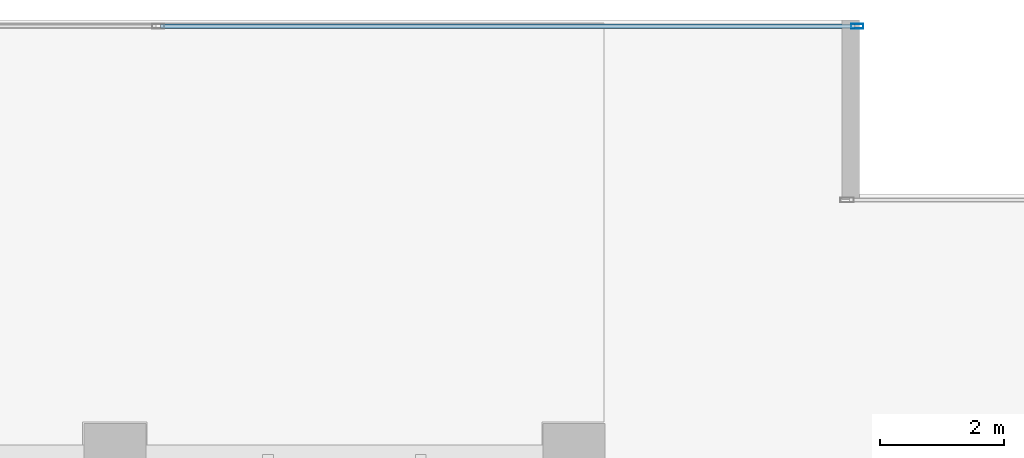
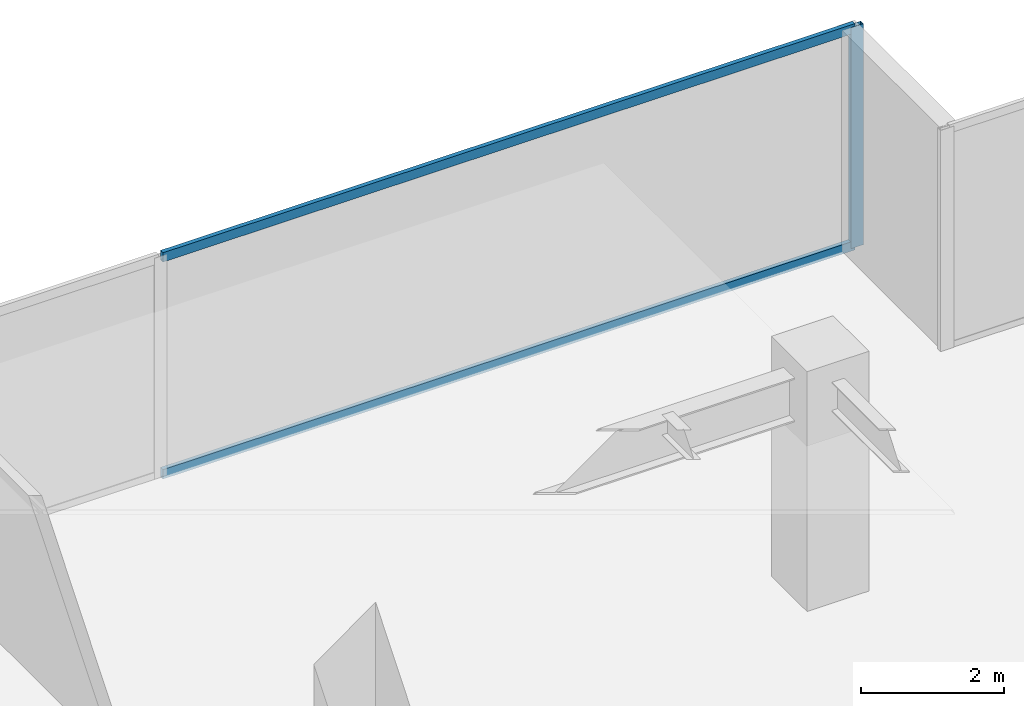
# One storey, part 27 of 36: 3 members, 1 element without a shape of its own.
"""IFC4 building model written with IfcOpenShell, lengths in metres."""

import ifcopenshell
import ifcopenshell.guid

model = None  # the IFC model being written
_history = None  # IfcOwnerHistory: only IFC2X3 demands one
_inside = {}  # id of a spatial element -> (the spatial element, [elements in it])
_under = {}  # id of a project, library or spatial element -> (it, [spatial elements below it])
_declared = {}  # id of a project -> (the project, [libraries it declares])
_typed = {}  # id of a type object -> (the type object, [elements of that type])
_made_of = {}  # id of a material, layer set ... -> (it, [elements and type objects made of it])


def new_model(schema):
    """Start an empty IFC model of exactly this schema.

    Asked for "IFC4X3", IfcOpenShell would pick the latest addendum, in which some entities
    have other attributes; the version numbers below select the first issue.
    IFC2X3 requires an IfcOwnerHistory on every rooted entity: one is made here for all.
    """
    global model, _history
    if schema == "IFC4X3":
        model = ifcopenshell.file(schema_version=(4, 3, 0, 0))
    else:
        model = ifcopenshell.file(schema=schema)
    _inside.clear()
    _under.clear()
    _declared.clear()
    _typed.clear()
    _made_of.clear()
    _history = None
    if model.schema == "IFC2X3":
        org = make("IfcOrganization", Name="unknown")
        user = make(
            "IfcPersonAndOrganization",
            ThePerson=make("IfcPerson", FamilyName="unknown"),
            TheOrganization=org,
        )
        app = make(
            "IfcApplication",
            ApplicationDeveloper=org,
            Version="unknown",
            ApplicationFullName="unknown",
            ApplicationIdentifier="unknown",
        )
        _history = make(
            "IfcOwnerHistory",
            OwningUser=user,
            OwningApplication=app,
            ChangeAction="ADDED",
            CreationDate=0,
        )
    return model


def make(cls, **values):
    """One entity of the class cls with the attributes given. An attribute that is None is left unset."""
    return model.create_entity(
        cls, **{name: value for name, value in values.items() if value is not None}
    )


def rooted(cls, **values):
    """An entity with a GlobalId (a new one), such as an element, a storey or a relation."""
    return make(cls, GlobalId=ifcopenshell.guid.new(), OwnerHistory=_history, **values)


def si_unit(unit_type, name, prefix=None):
    """IfcSIUnit, for example si_unit("LENGTHUNIT", "METRE", prefix="MILLI")."""
    return make("IfcSIUnit", UnitType=unit_type, Prefix=prefix, Name=name)


def assignment(units):
    """IfcUnitAssignment: the units of a project."""
    return None if units is None else make("IfcUnitAssignment", Units=units)


def point(xyz):
    """IfcCartesianPoint."""
    return None if xyz is None else make("IfcCartesianPoint", Coordinates=xyz)


def direction(xyz):
    """IfcDirection."""
    return None if xyz is None else make("IfcDirection", DirectionRatios=xyz)


def frame(location, z_axis=None, x_axis=None):
    """IfcAxis2Placement3D, a coordinate frame: its origin and axes. An axis left out is left unset."""
    return make(
        "IfcAxis2Placement3D",
        Location=point(location),
        Axis=direction(z_axis),
        RefDirection=direction(x_axis),
    )


def frame_2d(location, x_axis=None):
    """IfcAxis2Placement2D, a coordinate frame in the plane: its origin and x axis."""
    return make(
        "IfcAxis2Placement2D", Location=point(location), RefDirection=direction(x_axis)
    )


def origin():
    """The frame at (0, 0, 0) with its axes left unset."""
    return frame((0.0, 0.0, 0.0))


def origin_2d():
    """The frame at (0, 0) in the plane with its x axis left unset."""
    return frame_2d((0.0, 0.0))


def place(relative_to, where):
    """IfcLocalPlacement: puts the frame where relative to a parent placement (None: the world)."""
    return make(
        "IfcLocalPlacement", PlacementRelTo=relative_to, RelativePlacement=where
    )


def context(
    kind, dimensions, precision=None, world=None, true_north=None, identifier=None
):
    """IfcGeometricRepresentationContext, for example the 3D "Model" context."""
    return make(
        "IfcGeometricRepresentationContext",
        ContextIdentifier=identifier,
        ContextType=kind,
        CoordinateSpaceDimension=dimensions,
        Precision=precision,
        WorldCoordinateSystem=world,
        TrueNorth=true_north,
    )


def subcontext(parent, identifier, kind, view, scale=None):
    """IfcGeometricRepresentationSubContext, for example "Body" below "Model"."""
    return make(
        "IfcGeometricRepresentationSubContext",
        ContextIdentifier=identifier,
        ContextType=kind,
        ParentContext=parent,
        TargetScale=scale,
        TargetView=view,
    )


def project(units=None, contexts=None):
    """IfcProject with its units and contexts."""
    return rooted(
        "IfcProject",
        Name="project",
        RepresentationContexts=contexts,
        UnitsInContext=assignment(units),
    )


def spatial(cls, under=None, at=None, **own):
    """A site, building, storey or space (cls), placed at a placement, below another one or the project."""
    s = rooted(cls, ObjectPlacement=at, **own)
    if under is not None:
        _under.setdefault(under.id(), (under, []))[1].append(s)
    return s


def profile(cls, at=None, kind="AREA", **sizes):
    """A parametric profile (cls). Its sizes go by their IFC names, for example OverallWidth=200.0."""
    return make(cls, ProfileType=kind, Position=at, **sizes)


def hollow_rectangle(**sizes):
    """IfcRectangleHollowProfileDef."""
    return profile("IfcRectangleHollowProfileDef", **sizes)


def extrude(swept, where, along, depth):
    """IfcExtrudedAreaSolid: the profile swept, set in the frame where, extruded along a direction by depth."""
    return make(
        "IfcExtrudedAreaSolid",
        SweptArea=swept,
        Position=where,
        ExtrudedDirection=direction(along),
        Depth=depth,
    )


def shape(context_of_items, identifier, shape_type, items):
    """IfcShapeRepresentation: the items that make up one representation, for example the "Body"."""
    return make(
        "IfcShapeRepresentation",
        ContextOfItems=context_of_items,
        RepresentationIdentifier=identifier,
        RepresentationType=shape_type,
        Items=items,
    )


def source(mapping_origin, context_of_items, identifier, shape_type, items):
    """IfcRepresentationMap: a shape defined once, which mapped items show again and again."""
    return make(
        "IfcRepresentationMap",
        MappingOrigin=mapping_origin,
        MappedRepresentation=shape(context_of_items, identifier, shape_type, items),
    )


def transform(
    local_origin,
    x_axis=None,
    y_axis=None,
    z_axis=None,
    scale=None,
    scale2=None,
    scale3=None,
    uniform=True,
):
    """IfcCartesianTransformationOperator3D, or its non-uniform kind. x_axis, y_axis, z_axis: its Axis1, 2, 3."""
    if uniform:
        return make(
            "IfcCartesianTransformationOperator3D",
            Axis1=direction(x_axis),
            Axis2=direction(y_axis),
            LocalOrigin=point(local_origin),
            Scale=scale,
            Axis3=direction(z_axis),
        )
    return make(
        "IfcCartesianTransformationOperator3DnonUniform",
        Axis1=direction(x_axis),
        Axis2=direction(y_axis),
        LocalOrigin=point(local_origin),
        Scale=scale,
        Axis3=direction(z_axis),
        Scale2=scale2,
        Scale3=scale3,
    )


def mapped(mapping_source, mapping_target):
    """IfcMappedItem: shows the shape of a source again, moved by a transform."""
    return make(
        "IfcMappedItem", MappingSource=mapping_source, MappingTarget=mapping_target
    )


def material(Name=None, Category=None):
    """IfcMaterial."""
    return make("IfcMaterial", Name=Name, Category=Category)


def layer(
    of_material, thickness, ventilated=None, Name=None, Category=None, Priority=None
):
    """IfcMaterialLayer: one layer of a wall or slab, of a material (None: an air gap)."""
    return make(
        "IfcMaterialLayer",
        Material=of_material,
        LayerThickness=thickness,
        IsVentilated=ventilated,
        Name=Name,
        Category=Category,
        Priority=Priority,
    )


def layer_set(layers, Name=None):
    """IfcMaterialLayerSet."""
    return make("IfcMaterialLayerSet", MaterialLayers=layers, LayerSetName=Name)


def material_profile(
    of_material, cross_section, Name=None, Category=None, Priority=None
):
    """IfcMaterialProfile: a cross section and its material."""
    return make(
        "IfcMaterialProfile",
        Name=Name,
        Material=of_material,
        Profile=cross_section,
        Priority=Priority,
        Category=Category,
    )


def profile_set(profiles, Name=None, composite=None):
    """IfcMaterialProfileSet."""
    return make(
        "IfcMaterialProfileSet",
        Name=Name,
        MaterialProfiles=profiles,
        CompositeProfile=composite,
    )


def made_of(thing, what):
    """Note that an element or type object is made of a material, layer set ...; save() writes the relation."""
    if what is not None:
        _made_of.setdefault(what.id(), (what, []))[1].append(thing)
    return thing


def type_object(cls, material=None, **own):
    """A type object (cls), such as IfcWallType, which elements share."""
    return made_of(rooted(cls, **own), material)


def type_shapes(of_type, sources):
    """Give a type object the sources (RepresentationMaps) that its elements show as mapped items."""
    of_type.RepresentationMaps = sources


def element(
    cls,
    number,
    at=None,
    inside=None,
    cuts=None,
    type_object=None,
    material=None,
    context=None,
    identifier="Body",
    shape_type=None,
    held_by="IfcProductDefinitionShape",
    body=None,
    shapes=None,
    **own,
):
    """One element of the class cls, such as IfcWall. Its Tag is "e" and its number.

    at: its placement. inside: the storey or other place that contains it. cuts: it is an
    opening in that element (IfcRelVoidsElement). A single representation is given by context,
    identifier, shape_type and body (its items); several are given by shapes. held_by: the class
    of the entity that holds the representations. save() writes the other relations.
    """
    e = rooted(cls, Tag="e%d" % number, ObjectPlacement=at, **own)
    if body is not None:
        shapes = [shape(context, identifier, shape_type, body)]
    if shapes is not None:
        e.Representation = make(held_by, Representations=shapes)
    if inside is not None:
        _inside.setdefault(inside.id(), (inside, []))[1].append(e)
    if cuts is not None:
        rooted(
            "IfcRelVoidsElement", RelatingBuildingElement=cuts, RelatedOpeningElement=e
        )
    if type_object is not None:
        _typed.setdefault(type_object.id(), (type_object, []))[1].append(e)
    return made_of(e, material)


def aggregate(whole, parts):
    """IfcRelAggregates: a whole, such as a stair, and the parts it consists of."""
    return rooted("IfcRelAggregates", RelatingObject=whole, RelatedObjects=parts)


def save(model, path):
    """Write the relations noted so far, then the file.

    IfcRelAggregates (storeys below a building ...), IfcRelContainedInSpatialStructure (elements
    in a storey), IfcRelDefinesByType, IfcRelAssociatesMaterial and IfcRelDeclares: one each for
    every whole, place, type object, material and project.
    """
    for whole, parts in _under.values():
        aggregate(whole, parts)
    for where, things in _inside.values():
        rooted(
            "IfcRelContainedInSpatialStructure",
            RelatedElements=things,
            RelatingStructure=where,
        )
    for kind, things in _typed.values():
        rooted("IfcRelDefinesByType", RelatedObjects=things, RelatingType=kind)
    for what, things in _made_of.values():
        rooted("IfcRelAssociatesMaterial", RelatedObjects=things, RelatingMaterial=what)
    for by, libraries in _declared.values():
        rooted("IfcRelDeclares", RelatingContext=by, RelatedDefinitions=libraries)
    model.write(path)


model = new_model("IFC4")

# Units and contexts
model_context = context("Model", 3, precision=1e-05, world=origin(), true_north=direction((0.0, 1.0)))
body_context = subcontext(model_context, "Body", "Model", "MODEL_VIEW")
ifc_project = project(units=[si_unit("LENGTHUNIT", "METRE"), si_unit("AREAUNIT", "SQUARE_METRE"), si_unit("VOLUMEUNIT", "CUBIC_METRE"), si_unit("PLANEANGLEUNIT", "RADIAN"), si_unit("MASSUNIT", "GRAM", prefix="KILO")], contexts=[model_context])

# Site, building, storey
site_placement = place(None, origin())
site = spatial("IfcSite", under=ifc_project, at=site_placement, CompositionType="ELEMENT")
building_placement = place(site_placement, origin())
building = spatial("IfcBuilding", under=site, at=building_placement, Name="Haelvirn Gate Laboratories", CompositionType="ELEMENT")
storey_placement = place(building_placement, frame((0.0, 0.0, 53.89990234375)))
storey = spatial("IfcBuildingStorey", under=building, at=storey_placement, Name="L13", CompositionType="ELEMENT", Elevation=53.89990234375)

# Curtain wall, members
ifc_material_1 = material(Name="Anodised bronze unitised aluminium & triple low-E glass", Category="aluminium")
ifc_layer = layer(ifc_material_1, 0.18408203125, Name="CW-SYS-2")
ifc_layer_set = layer_set([ifc_layer], Name="Anodised bronze unitised aluminium & triple low-E glass")
curtain_wall_type = type_object("IfcCurtainWallType", Name="CW-SYS-2", PredefinedType="NOTDEFINED", material=ifc_layer_set)
curtain_wall_placement = place(storey_placement, origin())
curtain_wall = element("IfcCurtainWall", 1, at=curtain_wall_placement, inside=storey, type_object=curtain_wall_type, Name="L13 Unitised Curtain Wall CW-L13-P0-E10-1", PredefinedType="NOTDEFINED")
ifc_material_2 = material(Name="Extruded aluminium 6063-T6 (anodised bronze)", Category="aluminium")
ifc_material_profile_1 = material_profile(ifc_material_2, hollow_rectangle(XDim=0.074951171875, YDim=0.199951171875, WallThickness=0.0048828125, at=origin_2d()), Name="CWM-200x75x5")
ifc_profile_set_1 = profile_set([ifc_material_profile_1], Name="Extruded aluminium 6063-T6 (anodised bronze)")
member_type_1 = type_object("IfcMemberType", Name="CWM-T200", PredefinedType="MULLION", material=ifc_profile_set_1)
shared_shape_1 = source(origin(), body_context, "Body", "SweptSolid", [
    extrude(hollow_rectangle(XDim=0.074951171875, YDim=0.199951171875, WallThickness=0.0048828125, at=origin_2d()), origin(), (0.0, 0.0, 1.0), 3.780029296875),
])
type_shapes(member_type_1, [shared_shape_1])
member_1_placement = place(storey_placement, frame((71.96240234375, 48.5, 0.0), z_axis=(0.0, 0.0, 1.0), x_axis=(0.0, 1.0, 0.0)))
member_1 = element("IfcMember", 2, at=member_1_placement, type_object=member_type_1, Name="CW2 mullion 3", PredefinedType="MULLION", context=body_context, shape_type="MappedRepresentation", body=[
    mapped(shared_shape_1, transform((0.0, 0.0, 0.0), scale=1.0)),
])
ifc_material_profile_2 = material_profile(ifc_material_2, hollow_rectangle(XDim=0.070068359375, YDim=0.159912109375, WallThickness=0.0048828125, at=origin_2d()), Name="CWT-160x70x5")
ifc_profile_set_2 = profile_set([ifc_material_profile_2], Name="Extruded aluminium 6063-T6 (anodised bronze)")
member_type_2 = type_object("IfcMemberType", Name="CWT-T160", PredefinedType="USERDEFINED", material=ifc_profile_set_2)
shared_shape_2 = source(origin(), body_context, "Body", "SweptSolid", [
    extrude(hollow_rectangle(XDim=0.070068359375, YDim=0.159912109375, WallThickness=0.0048828125, at=origin_2d()), origin(), (0.0, 0.0, 1.0), 11.1875),
])
type_shapes(member_type_2, [shared_shape_2])
member_2_placement = place(storey_placement, frame((60.737548828125, 48.5, 0.03515625), z_axis=(1.0, 0.0, 0.0), x_axis=(0.0, 1.0, 0.0)))
member_2 = element("IfcMember", 3, at=member_2_placement, type_object=member_type_2, Name="CW2 transom 2.1", ObjectType="TRANSOM", PredefinedType="USERDEFINED", context=body_context, shape_type="MappedRepresentation", body=[
    mapped(shared_shape_2, transform((0.0, 0.0, 0.0), scale=1.0)),
])
member_3_placement = place(storey_placement, frame((60.737548828125, 48.5, 3.7451171875), z_axis=(1.0, 0.0, 0.0), x_axis=(0.0, 1.0, 0.0)))
member_3 = element("IfcMember", 4, at=member_3_placement, type_object=member_type_2, Name="CW2 transom 2.2", ObjectType="TRANSOM", PredefinedType="USERDEFINED", context=body_context, shape_type="MappedRepresentation", body=[
    mapped(shared_shape_2, transform((0.0, 0.0, 0.0), scale=1.0)),
])
aggregate(curtain_wall, [member_1, member_2, member_3])

save(model, "model.ifc")
